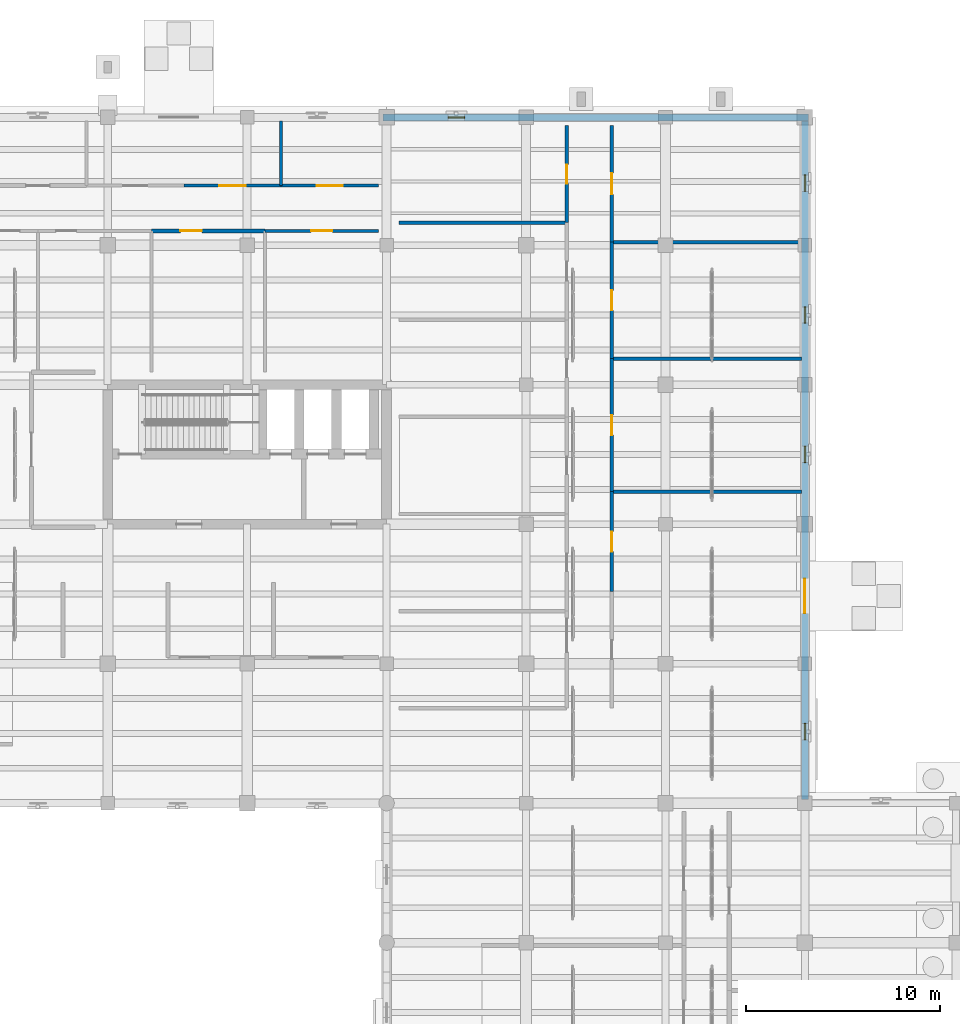
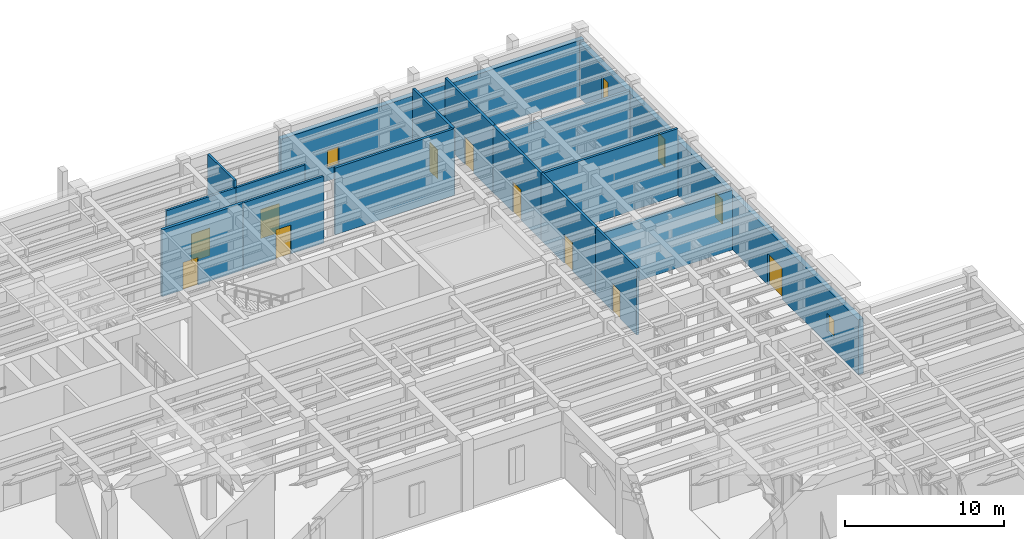
# One storey, part 86 of 100: 16 walls, 10 doors, 5 windows, 15 openings.
"""IFC4 building model written with IfcOpenShell, lengths in metres."""

from ifc_helpers import new_model, si_unit, direction, frame, frame_2d, origin, place, context, subcontext, project, spatial, rectangle, extrude, material, layer, layer_set, type_object, element, fill, save


model = new_model("IFC4")

# Units and contexts
model_context = context("Model", 3, precision=1e-05, world=origin(), true_north=direction((0.0, 1.0)))
body_context = subcontext(model_context, "Body", "Model", "MODEL_VIEW")
ifc_project = project(units=[si_unit("LENGTHUNIT", "METRE"), si_unit("AREAUNIT", "SQUARE_METRE"), si_unit("VOLUMEUNIT", "CUBIC_METRE"), si_unit("PLANEANGLEUNIT", "RADIAN"), si_unit("MASSUNIT", "GRAM", prefix="KILO")], contexts=[model_context])

# Site, building, storey
site_placement = place(None, origin())
site = spatial("IfcSite", under=ifc_project, at=site_placement, CompositionType="ELEMENT")
building_placement = place(site_placement, origin())
building = spatial("IfcBuilding", under=site, at=building_placement, Name="Mithqara Police Headquarters", CompositionType="ELEMENT")
storey_placement = place(building_placement, origin())
storey = spatial("IfcBuildingStorey", under=building, at=storey_placement, Name="L00", CompositionType="ELEMENT", Elevation=0.0)

# Wall, openings, door, windows
ifc_material_1 = material(Name="Limestone ashlar masonry, 45 MPa", Category="masonry")
ifc_layer_1 = layer(ifc_material_1, 0.360107421875, Name="Limestone ashlar masonry, 45 MPa")
ifc_layer_set_1 = layer_set([ifc_layer_1], Name="Limestone ashlar masonry, 45 MPa")
wall_type_1 = type_object("IfcWallType", Name="EXT WALL LIMESTONE360", PredefinedType="SOLIDWALL", material=ifc_layer_set_1)
wall_1_placement = place(storey_placement, frame((166.199951171875, 78.780029296875, 0.0), z_axis=(0.0, 0.0, 1.0), x_axis=(0.0, 1.0, 0.0)))
wall_1 = element("IfcWall", 1, at=wall_1_placement, inside=storey, type_object=wall_type_1, Name="L00 Exterior Wall 7.1", PredefinedType="SOLIDWALL", context=body_context, shape_type="SweptSolid", body=[
    extrude(rectangle(XDim=35.0400390625, YDim=0.360107421875, at=frame_2d((17.52001953125, 0.0))), origin(), (0.0, 0.0, 1.0), 4.219970703125),
])
opening_1_placement = place(wall_1_placement, frame((9.612060546875, 0.0, 0.0)))
opening_1 = element("IfcOpeningElement", 2, at=opening_1_placement, cuts=wall_1, Name="Opening ED-03", PredefinedType="OPENING", context=body_context, shape_type="SweptSolid", body=[
    extrude(rectangle(XDim=1.800048828125, YDim=2.39990234375, at=frame_2d((0.89990234375, 1.199951171875))), frame((0.0, 0.18994140625, 0.0), z_axis=(0.0, -1.0, 0.0), x_axis=(1.0, 0.0, 0.0)), (0.0, 0.0, 1.0), 0.380126953125),
])
opening_2_placement = place(wall_1_placement, frame((3.0849609375, 0.0, 0.949951171875)))
opening_2 = element("IfcOpeningElement", 3, at=opening_2_placement, cuts=wall_1, Name="Opening W-01", PredefinedType="OPENING", context=body_context, shape_type="SweptSolid", body=[
    extrude(rectangle(XDim=0.85009765625, YDim=1.39990234375, at=frame_2d((0.425048828125, 0.699951171875))), frame((0.0, 0.18994140625, 0.0), z_axis=(0.0, -1.0, 0.0), x_axis=(1.0, 0.0, 0.0)), (0.0, 0.0, 1.0), 0.380126953125),
])
opening_3_placement = place(wall_1_placement, frame((17.39501953125, 0.0, 0.949951171875)))
opening_3 = element("IfcOpeningElement", 4, at=opening_3_placement, cuts=wall_1, Name="Opening W-03", PredefinedType="OPENING", context=body_context, shape_type="SweptSolid", body=[
    extrude(rectangle(XDim=0.85009765625, YDim=1.89990234375, at=frame_2d((0.425048828125, 0.949951171875))), frame((0.0, 0.18994140625, 0.0), z_axis=(0.0, -1.0, 0.0), x_axis=(1.0, 0.0, 0.0)), (0.0, 0.0, 1.0), 0.380126953125),
])
opening_4_placement = place(wall_1_placement, frame((24.594970703125, 0.0, 0.949951171875)))
opening_4 = element("IfcOpeningElement", 5, at=opening_4_placement, cuts=wall_1, Name="Opening W-04", PredefinedType="OPENING", context=body_context, shape_type="SweptSolid", body=[
    extrude(rectangle(XDim=0.85009765625, YDim=2.14990234375, at=frame_2d((0.425048828125, 1.074951171875))), frame((0.0, 0.18994140625, 0.0), z_axis=(0.0, -1.0, 0.0), x_axis=(1.0, 0.0, 0.0)), (0.0, 0.0, 1.0), 0.380126953125),
])
opening_5_placement = place(wall_1_placement, frame((31.405029296875, 0.0, 0.949951171875)))
opening_5 = element("IfcOpeningElement", 6, at=opening_5_placement, cuts=wall_1, Name="Opening W-05", PredefinedType="OPENING", context=body_context, shape_type="SweptSolid", body=[
    extrude(rectangle(XDim=0.85009765625, YDim=2.39990234375, at=frame_2d((0.425048828125, 1.199951171875))), frame((0.0, 0.18994140625, 0.0), z_axis=(0.0, -1.0, 0.0), x_axis=(1.0, 0.0, 0.0)), (0.0, 0.0, 1.0), 0.380126953125),
])
ifc_material_2 = material(Name="Bronze anodised aluminium 6063-T6", Category="aluminium")
door_type_1 = type_object("IfcDoorType", Name="EXT DOOR EXIT 1800X2400", OperationType="DOUBLE_DOOR_SINGLE_SWING", PredefinedType="DOOR", material=ifc_material_2)
door_1_placement = place(opening_1_placement, frame((1.800048828125, 0.0, 0.0), z_axis=(0.0, 0.0, 1.0), x_axis=(-1.0, 0.0, 0.0)))
door_1 = element("IfcDoor", 7, at=door_1_placement, inside=storey, type_object=door_type_1, Name="Ground Floor Final Exit Door 4", OperationType="DOUBLE_DOOR_SINGLE_SWING", OverallHeight=2.39990234375, OverallWidth=1.800048828125, PredefinedType="DOOR", context=body_context, shape_type="SweptSolid", body=[
    extrude(rectangle(XDim=1.800048828125, YDim=2.39990234375, at=frame_2d((0.89990234375, 1.199951171875))), frame((0.0, 0.02490234375, 0.0), z_axis=(0.0, -1.0, 0.0), x_axis=(1.0, 0.0, 0.0)), (0.0, 0.0, 1.0), 0.050048828125),
])
fill(opening_1, door_1)
ifc_material_3 = material(Name="Spectrally selective double low-e glass", Category="glass")
window_type_1 = type_object("IfcWindowType", Name="WINDOW 850X1400", PartitioningType="SINGLE_PANEL", PredefinedType="WINDOW", material=ifc_material_3)
window_1_placement = place(opening_2_placement, origin())
window_1 = element("IfcWindow", 8, at=window_1_placement, inside=storey, type_object=window_type_1, Name="L00 Command Block Screened Window 7.1", OverallHeight=1.39990234375, OverallWidth=0.85009765625, PartitioningType="SINGLE_PANEL", PredefinedType="WINDOW", context=body_context, shape_type="SweptSolid", body=[
    extrude(rectangle(XDim=0.85009765625, YDim=1.39990234375, at=frame_2d((0.425048828125, 0.699951171875))), frame((0.0, 0.030029296875, 0.0), z_axis=(0.0, -1.0, 0.0), x_axis=(1.0, 0.0, 0.0)), (0.0, 0.0, 1.0), 0.06005859375),
])
fill(opening_2, window_1)
window_type_2 = type_object("IfcWindowType", Name="WINDOW 850X1900", PartitioningType="SINGLE_PANEL", PredefinedType="WINDOW", material=ifc_material_3)
window_2_placement = place(opening_3_placement, origin())
window_2 = element("IfcWindow", 9, at=window_2_placement, inside=storey, type_object=window_type_2, Name="L00 Command Block Screened Window 7.3", OverallHeight=1.89990234375, OverallWidth=0.85009765625, PartitioningType="SINGLE_PANEL", PredefinedType="WINDOW", context=body_context, shape_type="SweptSolid", body=[
    extrude(rectangle(XDim=0.85009765625, YDim=1.89990234375, at=frame_2d((0.425048828125, 0.949951171875))), frame((0.0, 0.030029296875, 0.0), z_axis=(0.0, -1.0, 0.0), x_axis=(1.0, 0.0, 0.0)), (0.0, 0.0, 1.0), 0.06005859375),
])
fill(opening_3, window_2)
window_type_3 = type_object("IfcWindowType", Name="WINDOW 850X2150", PartitioningType="SINGLE_PANEL", PredefinedType="WINDOW", material=ifc_material_3)
window_3_placement = place(opening_4_placement, origin())
window_3 = element("IfcWindow", 10, at=window_3_placement, inside=storey, type_object=window_type_3, Name="L00 Command Block Screened Window 7.4", OverallHeight=2.14990234375, OverallWidth=0.85009765625, PartitioningType="SINGLE_PANEL", PredefinedType="WINDOW", context=body_context, shape_type="SweptSolid", body=[
    extrude(rectangle(XDim=0.85009765625, YDim=2.14990234375, at=frame_2d((0.425048828125, 1.074951171875))), frame((0.0, 0.030029296875, 0.0), z_axis=(0.0, -1.0, 0.0), x_axis=(1.0, 0.0, 0.0)), (0.0, 0.0, 1.0), 0.06005859375),
])
fill(opening_4, window_3)
window_type_4 = type_object("IfcWindowType", Name="WINDOW 850X2400", PartitioningType="SINGLE_PANEL", PredefinedType="WINDOW", material=ifc_material_3)
window_4_placement = place(opening_5_placement, origin())
window_4 = element("IfcWindow", 11, at=window_4_placement, inside=storey, type_object=window_type_4, Name="L00 Command Block Screened Window 7.5", OverallHeight=2.39990234375, OverallWidth=0.85009765625, PartitioningType="SINGLE_PANEL", PredefinedType="WINDOW", context=body_context, shape_type="SweptSolid", body=[
    extrude(rectangle(XDim=0.85009765625, YDim=2.39990234375, at=frame_2d((0.425048828125, 1.199951171875))), frame((0.0, 0.030029296875, 0.0), z_axis=(0.0, -1.0, 0.0), x_axis=(1.0, 0.0, 0.0)), (0.0, 0.0, 1.0), 0.06005859375),
])
fill(opening_5, window_4)

# Wall, opening, window
wall_2_placement = place(storey_placement, frame((166.3798828125, 114.0, 0.0), z_axis=(0.0, 0.0, 1.0), x_axis=(-1.0, 0.0, 0.0)))
wall_2 = element("IfcWall", 12, at=wall_2_placement, inside=storey, type_object=wall_type_1, Name="L00 Exterior Wall 8.1", PredefinedType="SOLIDWALL", context=body_context, shape_type="SweptSolid", body=[
    extrude(rectangle(XDim=21.9599609375, YDim=0.360107421875, at=frame_2d((10.97998046875, 0.0))), origin(), (0.0, 0.0, 1.0), 4.3701171875),
])
opening_6_placement = place(wall_2_placement, frame((17.7548828125, 0.0, 0.949951171875)))
opening_6 = element("IfcOpeningElement", 13, at=opening_6_placement, cuts=wall_2, Name="Opening W-01", PredefinedType="OPENING", context=body_context, shape_type="SweptSolid", body=[
    extrude(rectangle(XDim=0.85009765625, YDim=1.39990234375, at=frame_2d((0.425048828125, 0.699951171875))), frame((0.0, 0.18994140625, 0.0), z_axis=(0.0, -1.0, 0.0), x_axis=(1.0, 0.0, 0.0)), (0.0, 0.0, 1.0), 0.380126953125),
])
window_5_placement = place(opening_6_placement, origin())
window_5 = element("IfcWindow", 14, at=window_5_placement, inside=storey, type_object=window_type_1, Name="L00 Command Block Screened Window 8.1", OverallHeight=1.39990234375, OverallWidth=0.85009765625, PartitioningType="SINGLE_PANEL", PredefinedType="WINDOW", context=body_context, shape_type="SweptSolid", body=[
    extrude(rectangle(XDim=0.85009765625, YDim=1.39990234375, at=frame_2d((0.425048828125, 0.699951171875))), frame((0.0, 0.030029296875, 0.0), z_axis=(0.0, -1.0, 0.0), x_axis=(1.0, 0.0, 0.0)), (0.0, 0.0, 1.0), 0.06005859375),
])
fill(opening_6, window_5)

# Wall, opening, door
ifc_material_4 = material(Name="Gypsum acoustic stud partition", Category="gypsum")
ifc_layer_2 = layer(ifc_material_4, 0.159912109375, Name="Gypsum acoustic stud partition")
ifc_layer_set_2 = layer_set([ifc_layer_2], Name="Gypsum acoustic stud partition")
wall_type_2 = type_object("IfcWallType", Name="PART WALL 160", PredefinedType="PARTITIONING", material=ifc_layer_set_2)
wall_3_placement = place(storey_placement, frame((138.320068359375, 108.139892578125, 0.0), z_axis=(0.0, 0.0, 1.0), x_axis=(1.0, 0.0, 0.0)))
wall_3 = element("IfcWall", 15, at=wall_3_placement, inside=storey, type_object=wall_type_2, Name="L00 Corridor Wall Station Duty Officer Room", PredefinedType="PARTITIONING", context=body_context, shape_type="SweptSolid", body=[
    extrude(rectangle(XDim=5.85986328125, YDim=0.159912109375, at=frame_2d((2.929931640625, 0.0))), origin(), (0.0, 0.0, 1.0), 5.1201171875),
])
opening_7_placement = place(wall_3_placement, frame((2.3798828125, 0.0, 0.0)))
opening_7 = element("IfcOpeningElement", 16, at=opening_7_placement, cuts=wall_3, Name="Opening D-11", PredefinedType="OPENING", context=body_context, shape_type="SweptSolid", body=[
    extrude(rectangle(XDim=1.10009765625, YDim=2.219970703125, at=frame_2d((0.550048828125, 1.10986328125))), frame((0.0, 0.08984375, 0.0), z_axis=(0.0, -1.0, 0.0), x_axis=(1.0, 0.0, 0.0)), (0.0, 0.0, 1.0), 0.179931640625),
])
ifc_material_5 = material(Name="Acoustic solid-core timber leaf", Category="wood")
door_type_2 = type_object("IfcDoorType", Name="INT DOOR 1100X2220", OperationType="NOTDEFINED", PredefinedType="DOOR", material=ifc_material_5)
door_2_placement = place(opening_7_placement, frame((1.10009765625, 0.0, 0.0), z_axis=(0.0, 0.0, 1.0), x_axis=(-1.0, 0.0, 0.0)))
door_2 = element("IfcDoor", 17, at=door_2_placement, inside=storey, type_object=door_type_2, Name="Station Duty Officer Room Entry Door", OperationType="SINGLE_SWING_RIGHT", OverallHeight=2.219970703125, OverallWidth=1.10009765625, PredefinedType="DOOR", context=body_context, shape_type="SweptSolid", body=[
    extrude(rectangle(XDim=1.10009765625, YDim=2.219970703125, at=frame_2d((0.550048828125, 1.10986328125))), frame((0.0, 0.02490234375, 0.0), z_axis=(0.0, -1.0, 0.0), x_axis=(1.0, 0.0, 0.0)), (0.0, 0.0, 1.0), 0.050048828125),
])
fill(opening_7, door_2)

wall_4_placement = place(storey_placement, frame((134.134033203125, 110.47998046875, 0.0), z_axis=(0.0, 0.0, 1.0), x_axis=(1.0, 0.0, 0.0)))
wall_4 = element("IfcWall", 18, at=wall_4_placement, inside=storey, type_object=wall_type_2, Name="L00 Corridor Wall Security Access Badging Office", PredefinedType="PARTITIONING", context=body_context, shape_type="SweptSolid", body=[
    extrude(rectangle(XDim=5.02294921875, YDim=0.159912109375, at=frame_2d((2.511474609375, 0.0))), origin(), (0.0, 0.0, 1.0), 4.570068359375),
])
opening_8_placement = place(wall_4_placement, frame((1.83154296875, 0.0, 0.0)))
opening_8 = element("IfcOpeningElement", 19, at=opening_8_placement, cuts=wall_4, Name="Opening D-16", PredefinedType="OPENING", context=body_context, shape_type="SweptSolid", body=[
    extrude(rectangle(XDim=1.360107421875, YDim=2.10009765625, at=frame_2d((0.68017578125, 1.050048828125))), frame((0.0, 0.08984375, 0.0), z_axis=(0.0, -1.0, 0.0), x_axis=(1.0, 0.0, 0.0)), (0.0, 0.0, 1.0), 0.179931640625),
])
door_type_3 = type_object("IfcDoorType", Name="INT DOOR 1360X2100", OperationType="NOTDEFINED", PredefinedType="DOOR", material=ifc_material_2)
door_3_placement = place(opening_8_placement, origin())
door_3 = element("IfcDoor", 20, at=door_3_placement, inside=storey, type_object=door_type_3, Name="Security Access Badging Office Entry Door", OperationType="SINGLE_SWING_LEFT", OverallHeight=2.10009765625, OverallWidth=1.360107421875, PredefinedType="DOOR", context=body_context, shape_type="SweptSolid", body=[
    extrude(rectangle(XDim=1.360107421875, YDim=2.10009765625, at=frame_2d((0.68017578125, 1.050048828125))), frame((0.0, 0.02490234375, 0.0), z_axis=(0.0, -1.0, 0.0), x_axis=(1.0, 0.0, 0.0)), (0.0, 0.0, 1.0), 0.050048828125),
])
fill(opening_8, door_3)

# Wall
wall_5_placement = place(storey_placement, frame((139.156982421875, 110.47998046875, 0.0), z_axis=(0.0, 0.0, 1.0), x_axis=(0.0, 1.0, 0.0)))
element("IfcWall", 21, at=wall_5_placement, inside=storey, type_object=wall_type_2, Name="L00 Room Partition Security Access Badging Office", PredefinedType="PARTITIONING", context=body_context, shape_type="SweptSolid", body=[
    extrude(rectangle(XDim=3.340087890625, YDim=0.159912109375, at=frame_2d((1.669921875, 0.0))), origin(), (0.0, 0.0, 1.0), 5.1201171875),
])

# Wall, opening, door
wall_6_placement = place(storey_placement, frame((139.156982421875, 110.47998046875, 0.0), z_axis=(0.0, 0.0, 1.0), x_axis=(1.0, 0.0, 0.0)))
wall_6 = element("IfcWall", 22, at=wall_6_placement, inside=storey, type_object=wall_type_2, Name="L00 Corridor Wall Patrol Briefing Room", PredefinedType="PARTITIONING", context=body_context, shape_type="SweptSolid", body=[
    extrude(rectangle(XDim=5.02294921875, YDim=0.159912109375, at=frame_2d((2.511474609375, 0.0))), origin(), (0.0, 0.0, 1.0), 4.570068359375),
])
opening_9_placement = place(wall_6_placement, frame((1.83154296875, 0.0, 0.0)))
opening_9 = element("IfcOpeningElement", 23, at=opening_9_placement, cuts=wall_6, Name="Opening D-17", PredefinedType="OPENING", context=body_context, shape_type="SweptSolid", body=[
    extrude(rectangle(XDim=1.360107421875, YDim=2.219970703125, at=frame_2d((0.68017578125, 1.10986328125))), frame((0.0, 0.08984375, 0.0), z_axis=(0.0, -1.0, 0.0), x_axis=(1.0, 0.0, 0.0)), (0.0, 0.0, 1.0), 0.179931640625),
])
door_type_4 = type_object("IfcDoorType", Name="INT DOOR 1360X2220", OperationType="NOTDEFINED", PredefinedType="DOOR", material=ifc_material_2)
door_4_placement = place(opening_9_placement, origin())
door_4 = element("IfcDoor", 24, at=door_4_placement, inside=storey, type_object=door_type_4, Name="Patrol Briefing Room Entry Door", OperationType="SINGLE_SWING_RIGHT", OverallHeight=2.219970703125, OverallWidth=1.360107421875, PredefinedType="DOOR", context=body_context, shape_type="SweptSolid", body=[
    extrude(rectangle(XDim=1.360107421875, YDim=2.219970703125, at=frame_2d((0.68017578125, 1.10986328125))), frame((0.0, 0.02490234375, 0.0), z_axis=(0.0, -1.0, 0.0), x_axis=(1.0, 0.0, 0.0)), (0.0, 0.0, 1.0), 0.050048828125),
])
fill(opening_9, door_4)

# Wall
ifc_material_6 = material(Name="Concrete C40/50", Category="concrete")
ifc_layer_3 = layer(ifc_material_6, 0.179931640625, Name="Concrete C40/50")
ifc_layer_set_3 = layer_set([ifc_layer_3], Name="Concrete C40/50")
wall_type_3 = type_object("IfcWallType", Name="PART WALL 180", PredefinedType="PARTITIONING", material=ifc_layer_set_3)
wall_7_placement = place(storey_placement, frame((145.25, 108.56689453125, 0.0), z_axis=(0.0, 0.0, 1.0), x_axis=(1.0, 0.0, 0.0)))
element("IfcWall", 25, at=wall_7_placement, inside=storey, type_object=wall_type_3, Name="L00 Room Partition Accessible WC", PredefinedType="PARTITIONING", context=body_context, shape_type="SweptSolid", body=[
    extrude(rectangle(XDim=8.64501953125, YDim=0.179931640625, at=frame_2d((4.322509765625, 0.0))), origin(), (0.0, 0.0, 1.0), 5.1201171875),
])

# Wall, opening, door
wall_8_placement = place(storey_placement, frame((153.89501953125, 108.56689453125, 0.0), z_axis=(0.0, 0.0, 1.0), x_axis=(0.0, 1.0, 0.0)))
wall_8 = element("IfcWall", 26, at=wall_8_placement, inside=storey, type_object=wall_type_3, Name="L00 Corridor Wall Watch Commander Suite", PredefinedType="PARTITIONING", context=body_context, shape_type="SweptSolid", body=[
    extrude(rectangle(XDim=5.01318359375, YDim=0.179931640625, at=frame_2d((2.506591796875, 0.0))), origin(), (0.0, 0.0, 1.0), 5.1201171875),
])
opening_10_placement = place(wall_8_placement, frame((2.0166015625, 0.0, 0.0)))
opening_10 = element("IfcOpeningElement", 27, at=opening_10_placement, cuts=wall_8, Name="Opening D-05", PredefinedType="OPENING", context=body_context, shape_type="SweptSolid", body=[
    extrude(rectangle(XDim=0.97998046875, YDim=2.219970703125, at=frame_2d((0.489990234375, 1.10986328125))), frame((0.0, 0.10009765625, 0.0), z_axis=(0.0, -1.0, 0.0), x_axis=(1.0, 0.0, 0.0)), (0.0, 0.0, 1.0), 0.199951171875),
])
door_type_5 = type_object("IfcDoorType", Name="INT DOOR 980X2220", OperationType="NOTDEFINED", PredefinedType="DOOR", material=ifc_material_5)
door_5_placement = place(opening_10_placement, frame((0.97998046875, 0.0, 0.0), z_axis=(0.0, 0.0, 1.0), x_axis=(-1.0, 0.0, 0.0)))
door_5 = element("IfcDoor", 28, at=door_5_placement, inside=storey, type_object=door_type_5, Name="Watch Commander Suite Entry Door", OperationType="SINGLE_SWING_RIGHT", OverallHeight=2.219970703125, OverallWidth=0.97998046875, PredefinedType="DOOR", context=body_context, shape_type="SweptSolid", body=[
    extrude(rectangle(XDim=0.97998046875, YDim=2.219970703125, at=frame_2d((0.489990234375, 1.10986328125))), frame((0.0, 0.02490234375, 0.0), z_axis=(0.0, -1.0, 0.0), x_axis=(1.0, 0.0, 0.0)), (0.0, 0.0, 1.0), 0.050048828125),
])
fill(opening_10, door_5)

wall_9_placement = place(storey_placement, frame((156.235107421875, 89.51611328125, 0.0), z_axis=(0.0, 0.0, 1.0), x_axis=(0.0, 1.0, 0.0)))
wall_9 = element("IfcWall", 29, at=wall_9_placement, inside=storey, type_object=wall_type_3, Name="L00 Corridor Wall Male Staff WC", PredefinedType="PARTITIONING", context=body_context, shape_type="SweptSolid", body=[
    extrude(rectangle(XDim=5.165771484375, YDim=0.179931640625, at=frame_2d((2.5830078125, 0.0))), origin(), (0.0, 0.0, 1.0), 5.1201171875),
])
opening_11_placement = place(wall_9_placement, frame((2.06298828125, 0.0, 0.0)))
opening_11 = element("IfcOpeningElement", 30, at=opening_11_placement, cuts=wall_9, Name="Opening D-07", PredefinedType="OPENING", context=body_context, shape_type="SweptSolid", body=[
    extrude(rectangle(XDim=1.0400390625, YDim=2.10009765625, at=frame_2d((0.52001953125, 1.050048828125))), frame((0.0, 0.10009765625, 0.0), z_axis=(0.0, -1.0, 0.0), x_axis=(1.0, 0.0, 0.0)), (0.0, 0.0, 1.0), 0.199951171875),
])
door_type_6 = type_object("IfcDoorType", Name="INT DOOR 1040X2100", OperationType="NOTDEFINED", PredefinedType="DOOR", material=ifc_material_5)
door_6_placement = place(opening_11_placement, origin())
door_6 = element("IfcDoor", 31, at=door_6_placement, inside=storey, type_object=door_type_6, Name="Male Staff WC Entry Door", OperationType="SINGLE_SWING_RIGHT", OverallHeight=2.10009765625, OverallWidth=1.0400390625, PredefinedType="DOOR", context=body_context, shape_type="SweptSolid", body=[
    extrude(rectangle(XDim=1.0400390625, YDim=2.10009765625, at=frame_2d((0.52001953125, 1.050048828125))), frame((0.0, 0.02490234375, 0.0), z_axis=(0.0, -1.0, 0.0), x_axis=(1.0, 0.0, 0.0)), (0.0, 0.0, 1.0), 0.050048828125),
])
fill(opening_11, door_6)

# Wall
wall_10_placement = place(storey_placement, frame((156.235107421875, 94.681884765625, 0.0), z_axis=(0.0, 0.0, 1.0), x_axis=(1.0, 0.0, 0.0)))
element("IfcWall", 32, at=wall_10_placement, inside=storey, type_object=wall_type_3, Name="L00 Room Partition Male Staff WC", PredefinedType="PARTITIONING", context=body_context, shape_type="SweptSolid", body=[
    extrude(rectangle(XDim=9.784912109375, YDim=0.179931640625, at=frame_2d((4.892578125, 0.0))), origin(), (0.0, 0.0, 1.0), 4.570068359375),
])

# Wall, opening, door
wall_11_placement = place(storey_placement, frame((156.235107421875, 94.681884765625, 0.0), z_axis=(0.0, 0.0, 1.0), x_axis=(0.0, 1.0, 0.0)))
wall_11 = element("IfcWall", 33, at=wall_11_placement, inside=storey, type_object=wall_type_3, Name="L00 Corridor Wall Female Staff WC", PredefinedType="PARTITIONING", context=body_context, shape_type="SweptSolid", body=[
    extrude(rectangle(XDim=6.8662109375, YDim=0.179931640625, at=frame_2d((3.43310546875, 0.0))), origin(), (0.0, 0.0, 1.0), 5.1201171875),
])
opening_12_placement = place(wall_11_placement, frame((2.9130859375, 0.0, 0.0)))
opening_12 = element("IfcOpeningElement", 34, at=opening_12_placement, cuts=wall_11, Name="Opening D-08", PredefinedType="OPENING", context=body_context, shape_type="SweptSolid", body=[
    extrude(rectangle(XDim=1.0400390625, YDim=2.219970703125, at=frame_2d((0.52001953125, 1.10986328125))), frame((0.0, 0.10009765625, 0.0), z_axis=(0.0, -1.0, 0.0), x_axis=(1.0, 0.0, 0.0)), (0.0, 0.0, 1.0), 0.199951171875),
])
door_type_7 = type_object("IfcDoorType", Name="INT DOOR 1040X2220", OperationType="NOTDEFINED", PredefinedType="DOOR", material=ifc_material_5)
door_7_placement = place(opening_12_placement, origin())
door_7 = element("IfcDoor", 35, at=door_7_placement, inside=storey, type_object=door_type_7, Name="Female Staff WC Entry Door", OperationType="SINGLE_SWING_LEFT", OverallHeight=2.219970703125, OverallWidth=1.0400390625, PredefinedType="DOOR", context=body_context, shape_type="SweptSolid", body=[
    extrude(rectangle(XDim=1.0400390625, YDim=2.219970703125, at=frame_2d((0.52001953125, 1.10986328125))), frame((0.0, 0.02490234375, 0.0), z_axis=(0.0, -1.0, 0.0), x_axis=(1.0, 0.0, 0.0)), (0.0, 0.0, 1.0), 0.050048828125),
])
fill(opening_12, door_7)

# Wall
wall_12_placement = place(storey_placement, frame((156.235107421875, 101.548095703125, 0.0), z_axis=(0.0, 0.0, 1.0), x_axis=(1.0, 0.0, 0.0)))
element("IfcWall", 36, at=wall_12_placement, inside=storey, type_object=wall_type_3, Name="L00 Room Partition Female Staff WC", PredefinedType="PARTITIONING", context=body_context, shape_type="SweptSolid", body=[
    extrude(rectangle(XDim=9.784912109375, YDim=0.179931640625, at=frame_2d((4.892578125, 0.0))), origin(), (0.0, 0.0, 1.0), 5.1201171875),
])

# Wall, opening, door
wall_13_placement = place(storey_placement, frame((156.235107421875, 101.548095703125, 0.0), z_axis=(0.0, 0.0, 1.0), x_axis=(0.0, 1.0, 0.0)))
wall_13 = element("IfcWall", 37, at=wall_13_placement, inside=storey, type_object=wall_type_3, Name="L00 Corridor Wall Accessible WC", PredefinedType="PARTITIONING", context=body_context, shape_type="SweptSolid", body=[
    extrude(rectangle(XDim=6.015869140625, YDim=0.179931640625, at=frame_2d((3.0078125, 0.0))), origin(), (0.0, 0.0, 1.0), 5.1201171875),
])
opening_13_placement = place(wall_13_placement, frame((2.488037109375, 0.0, 0.0)))
opening_13 = element("IfcOpeningElement", 38, at=opening_13_placement, cuts=wall_13, Name="Opening D-09", PredefinedType="OPENING", context=body_context, shape_type="SweptSolid", body=[
    extrude(rectangle(XDim=1.0400390625, YDim=2.35009765625, at=frame_2d((0.52001953125, 1.175048828125))), frame((0.0, 0.10009765625, 0.0), z_axis=(0.0, -1.0, 0.0), x_axis=(1.0, 0.0, 0.0)), (0.0, 0.0, 1.0), 0.199951171875),
])
door_type_8 = type_object("IfcDoorType", Name="INT DOOR 1040X2350", OperationType="NOTDEFINED", PredefinedType="DOOR", material=ifc_material_5)
door_8_placement = place(opening_13_placement, origin())
door_8 = element("IfcDoor", 39, at=door_8_placement, inside=storey, type_object=door_type_8, Name="Accessible WC Entry Door", OperationType="SINGLE_SWING_RIGHT", OverallHeight=2.35009765625, OverallWidth=1.0400390625, PredefinedType="DOOR", context=body_context, shape_type="SweptSolid", body=[
    extrude(rectangle(XDim=1.0400390625, YDim=2.35009765625, at=frame_2d((0.52001953125, 1.175048828125))), frame((0.0, 0.02490234375, 0.0), z_axis=(0.0, -1.0, 0.0), x_axis=(1.0, 0.0, 0.0)), (0.0, 0.0, 1.0), 0.050048828125),
])
fill(opening_13, door_8)

# Wall
wall_14_placement = place(storey_placement, frame((156.235107421875, 107.56396484375, 0.0), z_axis=(0.0, 0.0, 1.0), x_axis=(1.0, 0.0, 0.0)))
element("IfcWall", 40, at=wall_14_placement, inside=storey, type_object=wall_type_3, Name="L00 Room Partition Accessible WC", PredefinedType="PARTITIONING", context=body_context, shape_type="SweptSolid", body=[
    extrude(rectangle(XDim=9.784912109375, YDim=0.179931640625, at=frame_2d((4.892578125, 0.0))), origin(), (0.0, 0.0, 1.0), 4.3701171875),
])

# Wall, opening, door
wall_15_placement = place(storey_placement, frame((156.235107421875, 107.56396484375, 0.0), z_axis=(0.0, 0.0, 1.0), x_axis=(0.0, 1.0, 0.0)))
wall_15 = element("IfcWall", 41, at=wall_15_placement, inside=storey, type_object=wall_type_3, Name="L00 Corridor Wall Watch Commander Suite", PredefinedType="PARTITIONING", context=body_context, shape_type="SweptSolid", body=[
    extrude(rectangle(XDim=6.01611328125, YDim=0.179931640625, at=frame_2d((3.008056640625, 0.0))), origin(), (0.0, 0.0, 1.0), 5.1201171875),
])
opening_14_placement = place(wall_15_placement, frame((2.4580078125, 0.0, 0.0)))
opening_14 = element("IfcOpeningElement", 42, at=opening_14_placement, cuts=wall_15, Name="Opening D-10", PredefinedType="OPENING", context=body_context, shape_type="SweptSolid", body=[
    extrude(rectangle(XDim=1.10009765625, YDim=2.10009765625, at=frame_2d((0.550048828125, 1.050048828125))), frame((0.0, 0.10009765625, 0.0), z_axis=(0.0, -1.0, 0.0), x_axis=(1.0, 0.0, 0.0)), (0.0, 0.0, 1.0), 0.199951171875),
])
door_type_9 = type_object("IfcDoorType", Name="INT DOOR 1100X2100", OperationType="NOTDEFINED", PredefinedType="DOOR", material=ifc_material_5)
door_9_placement = place(opening_14_placement, origin())
door_9 = element("IfcDoor", 43, at=door_9_placement, inside=storey, type_object=door_type_9, Name="Watch Commander Suite Entry Door", OperationType="SINGLE_SWING_LEFT", OverallHeight=2.10009765625, OverallWidth=1.10009765625, PredefinedType="DOOR", context=body_context, shape_type="SweptSolid", body=[
    extrude(rectangle(XDim=1.10009765625, YDim=2.10009765625, at=frame_2d((0.550048828125, 1.050048828125))), frame((0.0, 0.02490234375, 0.0), z_axis=(0.0, -1.0, 0.0), x_axis=(1.0, 0.0, 0.0)), (0.0, 0.0, 1.0), 0.050048828125),
])
fill(opening_14, door_9)

ifc_layer_4 = layer(ifc_material_6, 0.2099609375, Name="Concrete C40/50")
ifc_layer_set_4 = layer_set([ifc_layer_4], Name="Concrete C40/50")
wall_type_4 = type_object("IfcWallType", Name="PART WALL 210", PredefinedType="PARTITIONING", material=ifc_layer_set_4)
wall_16_placement = place(storey_placement, frame((132.4599609375, 108.139892578125, 0.0), z_axis=(0.0, 0.0, 1.0), x_axis=(1.0, 0.0, 0.0)))
wall_16 = element("IfcWall", 44, at=wall_16_placement, inside=storey, type_object=wall_type_4, Name="L00 Corridor Wall Fire Command Room", PredefinedType="PARTITIONING", context=body_context, shape_type="SweptSolid", body=[
    extrude(rectangle(XDim=5.860107421875, YDim=0.2099609375, at=frame_2d((2.93017578125, 0.0))), origin(), (0.0, 0.0, 1.0), 5.1201171875),
])
opening_15_placement = place(wall_16_placement, frame((1.5009765625, 0.0, 0.0)))
opening_15 = element("IfcOpeningElement", 45, at=opening_15_placement, cuts=wall_16, Name="Opening D-10", PredefinedType="OPENING", context=body_context, shape_type="SweptSolid", body=[
    extrude(rectangle(XDim=1.10009765625, YDim=2.10009765625, at=frame_2d((0.550048828125, 1.050048828125))), frame((0.0, 0.114990234375, 0.0), z_axis=(0.0, -1.0, 0.0), x_axis=(1.0, 0.0, 0.0)), (0.0, 0.0, 1.0), 0.22998046875),
])
door_10_placement = place(opening_15_placement, frame((1.10009765625, 0.0, 0.0), z_axis=(0.0, 0.0, 1.0), x_axis=(-1.0, 0.0, 0.0)))
door_10 = element("IfcDoor", 46, at=door_10_placement, inside=storey, type_object=door_type_9, Name="Fire Command Room Entry Door", OperationType="SINGLE_SWING_LEFT", OverallHeight=2.10009765625, OverallWidth=1.10009765625, PredefinedType="DOOR", context=body_context, shape_type="SweptSolid", body=[
    extrude(rectangle(XDim=1.10009765625, YDim=2.10009765625, at=frame_2d((0.550048828125, 1.050048828125))), frame((0.0, 0.02490234375, 0.0), z_axis=(0.0, -1.0, 0.0), x_axis=(1.0, 0.0, 0.0)), (0.0, 0.0, 1.0), 0.050048828125),
])
fill(opening_15, door_10)

save(model, "model.ifc")
